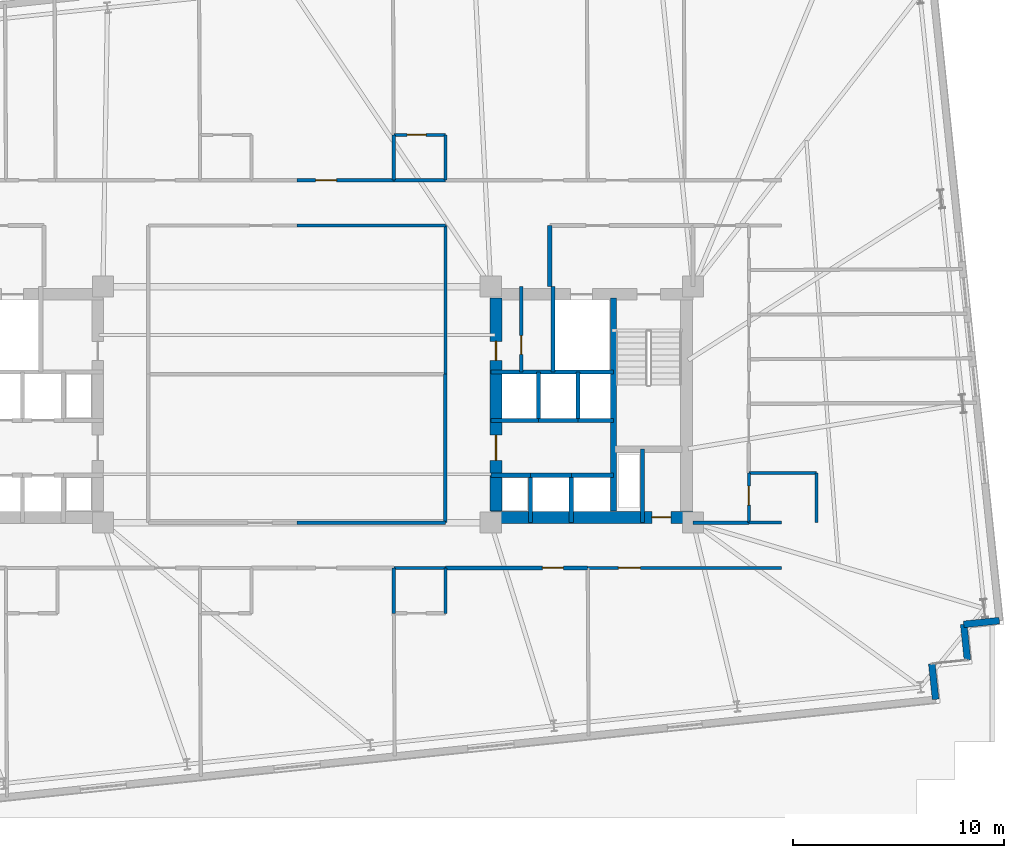
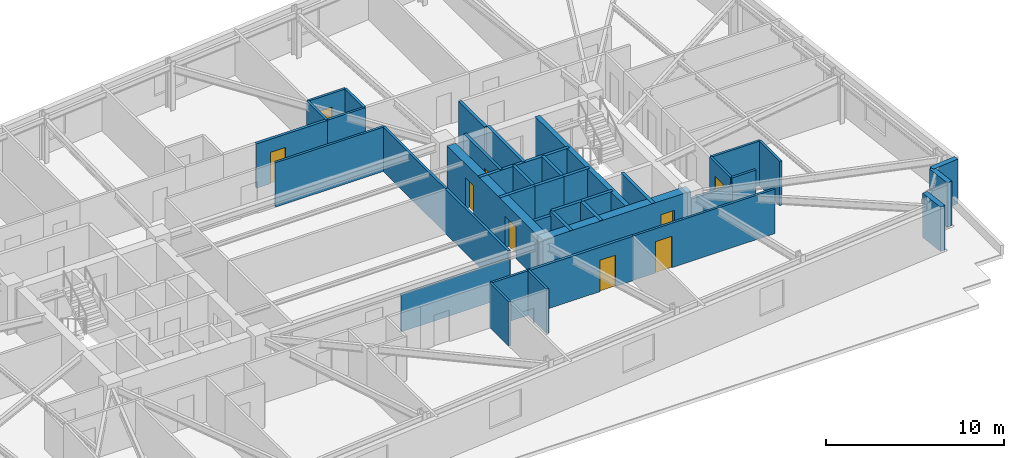
# One storey, part 14 of 20: 40 walls, 9 doors, 9 openings.
"""IFC4 building model written with IfcOpenShell, lengths in metres."""

from ifc_helpers import new_model, si_unit, direction, frame, frame_2d, origin, place, context, subcontext, project, spatial, rectangle, extrude, material, layer, layer_set, type_object, element, fill, save


model = new_model("IFC4")

# Units and contexts
model_context = context("Model", 3, precision=1e-05, world=origin(), true_north=direction((0.0, 1.0)))
body_context = subcontext(model_context, "Body", "Model", "MODEL_VIEW")
ifc_project = project(units=[si_unit("LENGTHUNIT", "METRE"), si_unit("AREAUNIT", "SQUARE_METRE"), si_unit("VOLUMEUNIT", "CUBIC_METRE"), si_unit("PLANEANGLEUNIT", "RADIAN"), si_unit("MASSUNIT", "GRAM", prefix="KILO")], contexts=[model_context])

# Site, building, storey
site_placement = place(None, origin())
site = spatial("IfcSite", under=ifc_project, at=site_placement, CompositionType="ELEMENT")
building_placement = place(site_placement, origin())
building = spatial("IfcBuilding", under=site, at=building_placement, Name="Qobustan Lattice House", CompositionType="ELEMENT")
storey_placement = place(building_placement, frame((0.0, 0.0, 79.0)))
storey = spatial("IfcBuildingStorey", under=building, at=storey_placement, Name="L21", CompositionType="ELEMENT", Elevation=79.0)

# Wall, opening, door
ifc_material_1 = material(Name="Concrete C60/75", Category="concrete")
ifc_layer_1 = layer(ifc_material_1, 0.56005859375)
ifc_layer_set_1 = layer_set([ifc_layer_1], Name="Concrete C60/75")
wall_type_1 = type_object("IfcWallType", Name="WAL-CORE-600", PredefinedType="SHEAR", material=ifc_layer_set_1)
wall_1_placement = place(storey_placement, frame((9.199951171875, -5.35009765625, 0.0), z_axis=(0.0, 0.0, 1.0), x_axis=(1.0, 0.0, 0.0)))
wall_1 = element("IfcWall", 1, at=wall_1_placement, inside=storey, type_object=wall_type_1, Name="L21 split-core shear wall CE-S", PredefinedType="SHEAR", context=body_context, shape_type="SweptSolid", body=[
    extrude(rectangle(XDim=9.60009765625, YDim=0.56005859375, at=frame_2d((4.800048828125, 0.0))), origin(), (0.0, 0.0, 1.0), 3.044921875),
])
opening_1_placement = place(wall_1_placement, frame((7.64990234375, 0.0, 0.0)))
opening_1 = element("IfcOpeningElement", 2, at=opening_1_placement, cuts=wall_1, Name="Opening RD-01", PredefinedType="OPENING", context=body_context, shape_type="SweptSolid", body=[
    extrude(rectangle(XDim=0.89990234375, YDim=2.10009765625, at=frame_2d((0.449951171875, 1.050048828125))), frame((0.0, 0.2900390625, 0.0), z_axis=(0.0, -1.0, 0.0), x_axis=(1.0, 0.0, 0.0)), (0.0, 0.0, 1.0), 0.580078125),
])
ifc_material_2 = material(Name="Persian walnut timber and steel frame door", Category="steel")
door_type_1 = type_object("IfcDoorType", Name="DOR-RISER-FD-900x2100", OperationType="NOTDEFINED", PredefinedType="DOOR", material=ifc_material_2)
door_1_placement = place(opening_1_placement, origin())
door_1 = element("IfcDoor", 3, at=door_1_placement, inside=storey, type_object=door_type_1, Name="L21 core service riser access door E", OperationType="SINGLE_SWING_RIGHT", OverallHeight=2.10009765625, OverallWidth=0.89990234375, PredefinedType="DOOR", context=body_context, shape_type="SweptSolid", body=[
    extrude(rectangle(XDim=0.89990234375, YDim=2.10009765625, at=frame_2d((0.449951171875, 1.050048828125))), frame((0.0, 0.02490234375, 0.0), z_axis=(0.0, -1.0, 0.0), x_axis=(1.0, 0.0, 0.0)), (0.0, 0.0, 1.0), 0.050048828125),
])
fill(opening_1, door_1)

# Wall, openings, doors
wall_2_placement = place(storey_placement, frame((9.449951171875, -5.050048828125, 0.0), z_axis=(0.0, 0.0, 1.0), x_axis=(0.0, 1.0, 0.0)))
wall_2 = element("IfcWall", 4, at=wall_2_placement, inside=storey, type_object=wall_type_1, Name="L21 split-core shear wall CE-W", PredefinedType="SHEAR", context=body_context, shape_type="SweptSolid", body=[
    extrude(rectangle(XDim=10.10009765625, YDim=0.56005859375, at=frame_2d((5.050048828125, 0.0))), origin(), (0.0, 0.0, 1.0), 3.044921875),
])
opening_2_placement = place(wall_2_placement, frame((7.14990234375, 0.0, 0.0)))
opening_2 = element("IfcOpeningElement", 5, at=opening_2_placement, cuts=wall_2, Name="Opening RD-01", PredefinedType="OPENING", context=body_context, shape_type="SweptSolid", body=[
    extrude(rectangle(XDim=0.89990234375, YDim=2.10009765625, at=frame_2d((0.449951171875, 1.050048828125))), frame((0.0, 0.2900390625, 0.0), z_axis=(0.0, -1.0, 0.0), x_axis=(1.0, 0.0, 0.0)), (0.0, 0.0, 1.0), 0.580078125),
])
opening_3_placement = place(wall_2_placement, frame((2.39990234375, 0.0, 0.0)))
opening_3 = element("IfcOpeningElement", 6, at=opening_3_placement, cuts=wall_2, Name="Opening FD-01", PredefinedType="OPENING", context=body_context, shape_type="SweptSolid", body=[
    extrude(rectangle(XDim=1.199951171875, YDim=2.14990234375, at=frame_2d((0.60009765625, 1.074951171875))), frame((0.0, 0.2900390625, 0.0), z_axis=(0.0, -1.0, 0.0), x_axis=(1.0, 0.0, 0.0)), (0.0, 0.0, 1.0), 0.580078125),
])
ifc_material_3 = material(Name="Persian walnut timber and steel frame door", Category="steel")
door_type_2 = type_object("IfcDoorType", Name="DOR-LOBBY-FD-1200x2150", OperationType="NOTDEFINED", PredefinedType="DOOR", material=ifc_material_3)
door_2_placement = place(opening_3_placement, origin())
door_2 = element("IfcDoor", 7, at=door_2_placement, inside=storey, type_object=door_type_2, Name="L21 East passenger lift lobby fire door", OperationType="SINGLE_SWING_LEFT", OverallHeight=2.14990234375, OverallWidth=1.199951171875, PredefinedType="DOOR", context=body_context, shape_type="SweptSolid", body=[
    extrude(rectangle(XDim=1.199951171875, YDim=2.14990234375, at=frame_2d((0.60009765625, 1.074951171875))), frame((0.0, 0.02490234375, 0.0), z_axis=(0.0, -1.0, 0.0), x_axis=(1.0, 0.0, 0.0)), (0.0, 0.0, 1.0), 0.050048828125),
])
fill(opening_3, door_2)
door_3_placement = place(opening_2_placement, origin())
door_3 = element("IfcDoor", 8, at=door_3_placement, inside=storey, type_object=door_type_1, Name="L21 Print and mail closet fire door", OperationType="SINGLE_SWING_RIGHT", OverallHeight=2.10009765625, OverallWidth=0.89990234375, PredefinedType="DOOR", context=body_context, shape_type="SweptSolid", body=[
    extrude(rectangle(XDim=0.89990234375, YDim=2.10009765625, at=frame_2d((0.449951171875, 1.050048828125))), frame((0.0, 0.02490234375, 0.0), z_axis=(0.0, -1.0, 0.0), x_axis=(1.0, 0.0, 0.0)), (0.0, 0.0, 1.0), 0.050048828125),
])
fill(opening_2, door_3)

# Walls
ifc_material_4 = material(Name="Concrete C50/60", Category="concrete")
ifc_layer_2 = layer(ifc_material_4, 0.280029296875)
ifc_layer_set_2 = layer_set([ifc_layer_2], Name="Concrete C50/60")
wall_type_2 = type_object("IfcWallType", Name="WAL-CORE-SPINE-280", PredefinedType="SHEAR", material=ifc_layer_set_2)
wall_3_placement = place(storey_placement, frame((15.02001953125, -5.050048828125, 0.0), z_axis=(0.0, 0.0, 1.0), x_axis=(0.0, 1.0, 0.0)))
element("IfcWall", 9, at=wall_3_placement, inside=storey, type_object=wall_type_2, Name="L21 split-core shear wall CE-M", PredefinedType="SHEAR", context=body_context, shape_type="SweptSolid", body=[
    extrude(rectangle(XDim=10.10009765625, YDim=0.300048828125, at=frame_2d((5.050048828125, 0.0))), origin(), (0.0, 0.0, 1.0), 3.044921875),
])
ifc_material_5 = material(Name="Precast concrete C40/50", Category="concrete")
ifc_layer_3 = layer(ifc_material_5, 0.320068359375)
ifc_layer_set_3 = layer_set([ifc_layer_3], Name="Precast concrete C40/50")
wall_type_3 = type_object("IfcWallType", Name="WAL-EXT-STONE-320", PredefinedType="SOLIDWALL", material=ifc_layer_set_3)
for number, where, z_axis, x_axis, name in (
    (10, (33.333251953125, -10.2490234375, 0.0), (0.0, 0.0, 1.0), (-0.994519608382, -0.104550220202, 0.0), "L21 exterior limestone-clad wall 16"),
    (11, (31.642578125, -10.4267578125, 0.0), (0.0, 0.0, 1.0), (0.104550220202, -0.994519608382, 0.0), "L21 exterior limestone-clad wall 17"),
):
    element("IfcWall", number, at=place(storey_placement, frame(where, z_axis=z_axis, x_axis=x_axis)), inside=storey, type_object=wall_type_3, Name=name, PredefinedType="SOLIDWALL", context=body_context, shape_type="SweptSolid", body=[
        extrude(rectangle(XDim=1.699951171875, YDim=0.320068359375, at=frame_2d((0.85009765625, 0.0))), origin(), (0.0, 0.0, 1.0), 3.044921875),
    ])
wall_4_placement = place(storey_placement, frame((30.129638671875, -12.295166015625, 0.0), z_axis=(0.0, 0.0, 1.0), x_axis=(0.104565154801, -0.994518038248, 0.0)))
element("IfcWall", 12, at=wall_4_placement, inside=storey, type_object=wall_type_3, Name="L21 exterior limestone-clad wall 19", PredefinedType="SOLIDWALL", context=body_context, shape_type="SweptSolid", body=[
    extrude(rectangle(XDim=1.69970703125, YDim=0.320068359375, at=frame_2d((0.849853515625, 0.0))), origin(), (0.0, 0.0, 1.0), 3.044921875),
])

# Wall, opening, door
ifc_material_6 = material(Name="Gypsum fireboard acoustic partition", Category="gypsum")
ifc_layer_4 = layer(ifc_material_6, 0.179931640625)
ifc_layer_set_4 = layer_set([ifc_layer_4], Name="Gypsum fireboard acoustic partition")
wall_type_4 = type_object("IfcWallType", Name="WAL-FIRE-180", PredefinedType="PARTITIONING", material=ifc_layer_set_4)
wall_5_placement = place(storey_placement, frame((10.64990234375, 1.550048828125, 0.0), z_axis=(0.0, 0.0, 1.0), x_axis=(0.0, 1.0, 0.0)))
wall_5 = element("IfcWall", 13, at=wall_5_placement, inside=storey, type_object=wall_type_4, Name="L21 interior partition 23", PredefinedType="PARTITIONING", context=body_context, shape_type="SweptSolid", body=[
    extrude(rectangle(XDim=4.050048828125, YDim=0.179931640625, at=frame_2d((2.02490234375, 0.0))), origin(), (0.0, 0.0, 1.0), 3.044921875),
])
opening_4_placement = place(wall_5_placement, frame((0.828857421875, 0.0, 0.0)))
opening_4 = element("IfcOpeningElement", 14, at=opening_4_placement, cuts=wall_5, Name="Opening RD-01", PredefinedType="OPENING", context=body_context, shape_type="SweptSolid", body=[
    extrude(rectangle(XDim=0.89990234375, YDim=2.10009765625, at=frame_2d((0.449951171875, 1.050048828125))), frame((0.0, 0.099853515625, 0.0), z_axis=(0.0, -1.0, 0.0), x_axis=(1.0, 0.0, 0.0)), (0.0, 0.0, 1.0), 0.199951171875),
])
door_4_placement = place(opening_4_placement, origin())
door_4 = element("IfcDoor", 15, at=door_4_placement, inside=storey, type_object=door_type_1, Name="L21 Print and mail closet to Core utility store door", OperationType="SINGLE_SWING_LEFT", OverallHeight=2.10009765625, OverallWidth=0.89990234375, PredefinedType="DOOR", context=body_context, shape_type="SweptSolid", body=[
    extrude(rectangle(XDim=0.89990234375, YDim=2.10009765625, at=frame_2d((0.449951171875, 1.050048828125))), frame((0.0, 0.02490234375, 0.0), z_axis=(0.0, -1.0, 0.0), x_axis=(1.0, 0.0, 0.0)), (0.0, 0.0, 1.0), 0.050048828125),
])
fill(opening_4, door_4)

wall_6_placement = place(storey_placement, frame((0.0, 10.64990234375, 0.0), z_axis=(0.0, 0.0, 1.0), x_axis=(1.0, 0.0, 0.0)))
wall_6 = element("IfcWall", 16, at=wall_6_placement, inside=storey, type_object=wall_type_4, Name="L21 interior partition 46", PredefinedType="PARTITIONING", context=body_context, shape_type="SweptSolid", body=[
    extrude(rectangle(XDim=4.60009765625, YDim=0.179931640625, at=frame_2d((2.300048828125, 0.0))), origin(), (0.0, 0.0, 1.0), 3.044921875),
])
opening_5_placement = place(wall_6_placement, frame((0.885009765625, 0.0, 0.0)))
opening_5 = element("IfcOpeningElement", 17, at=opening_5_placement, cuts=wall_6, Name="Opening FD-02", PredefinedType="OPENING", context=body_context, shape_type="SweptSolid", body=[
    extrude(rectangle(XDim=1.0, YDim=2.14990234375, at=frame_2d((0.5, 1.074951171875))), frame((0.0, 0.099853515625, 0.0), z_axis=(0.0, -1.0, 0.0), x_axis=(1.0, 0.0, 0.0)), (0.0, 0.0, 1.0), 0.199951171875),
])
ifc_material_7 = material(Name="Persian walnut timber and steel frame door", Category="steel")
door_type_3 = type_object("IfcDoorType", Name="DOR-UNIT-FD-1000x2150", OperationType="NOTDEFINED", PredefinedType="DOOR", material=ifc_material_7)
door_5_placement = place(opening_5_placement, origin())
door_5 = element("IfcDoor", 18, at=door_5_placement, inside=storey, type_object=door_type_3, Name="L21 North-east floor corridor to Kitchenette and studio apartment L21-N3 door", OperationType="SINGLE_SWING_RIGHT", OverallHeight=2.14990234375, OverallWidth=1.0, PredefinedType="DOOR", context=body_context, shape_type="SweptSolid", body=[
    extrude(rectangle(XDim=1.0, YDim=2.14990234375, at=frame_2d((0.5, 1.074951171875))), frame((0.0, 0.02490234375, 0.0), z_axis=(0.0, -1.0, 0.0), x_axis=(1.0, 0.0, 0.0)), (0.0, 0.0, 1.0), 0.050048828125),
])
fill(opening_5, door_5)

# Wall
wall_7_placement = place(storey_placement, frame((18.800048828125, -5.60009765625, 0.0), z_axis=(0.0, 0.0, 1.0), x_axis=(1.0, 0.0, 0.0)))
element("IfcWall", 19, at=wall_7_placement, inside=storey, type_object=wall_type_4, Name="L21 interior partition 61", PredefinedType="PARTITIONING", context=body_context, shape_type="SweptSolid", body=[
    extrude(rectangle(XDim=2.64990234375, YDim=0.179931640625, at=frame_2d((1.324951171875, 0.0))), origin(), (0.0, 0.0, 1.0), 2.530029296875),
])

# Wall, opening, door
wall_8_placement = place(storey_placement, frame((13.800048828125, -7.75, 0.0), z_axis=(0.0, 0.0, 1.0), x_axis=(-1.0, 0.0, 0.0)))
wall_8 = element("IfcWall", 20, at=wall_8_placement, inside=storey, type_object=wall_type_4, Name="L21 interior partition 64", PredefinedType="PARTITIONING", context=body_context, shape_type="SweptSolid", body=[
    extrude(rectangle(XDim=6.75, YDim=0.179931640625, at=frame_2d((3.375, 0.0))), origin(), (0.0, 0.0, 1.0), 3.044921875),
])
opening_6_placement = place(wall_8_placement, frame((1.15380859375, 0.0, 0.0)))
opening_6 = element("IfcOpeningElement", 21, at=opening_6_placement, cuts=wall_8, Name="Opening FD-02", PredefinedType="OPENING", context=body_context, shape_type="SweptSolid", body=[
    extrude(rectangle(XDim=1.0, YDim=2.14990234375, at=frame_2d((0.5, 1.074951171875))), frame((0.0, 0.099853515625, 0.0), z_axis=(0.0, -1.0, 0.0), x_axis=(1.0, 0.0, 0.0)), (0.0, 0.0, 1.0), 0.199951171875),
])
door_6_placement = place(opening_6_placement, origin())
door_6 = element("IfcDoor", 22, at=door_6_placement, inside=storey, type_object=door_type_3, Name="L21 South-east floor corridor to Kitchenette and studio apartment L21-S4 door", OperationType="SINGLE_SWING_RIGHT", OverallHeight=2.14990234375, OverallWidth=1.0, PredefinedType="DOOR", context=body_context, shape_type="SweptSolid", body=[
    extrude(rectangle(XDim=1.0, YDim=2.14990234375, at=frame_2d((0.5, 1.074951171875))), frame((0.0, 0.02490234375, 0.0), z_axis=(0.0, -1.0, 0.0), x_axis=(1.0, 0.0, 0.0)), (0.0, 0.0, 1.0), 0.050048828125),
])
fill(opening_6, door_6)

# Wall
ifc_material_8 = material(Name="Acoustic twin-stud gypsum partition", Category="gypsum")
ifc_layer_5 = layer(ifc_material_8, 0.14990234375)
ifc_layer_set_5 = layer_set([ifc_layer_5], Name="Acoustic twin-stud gypsum partition")
wall_type_5 = type_object("IfcWallType", Name="WAL-PART-150", PredefinedType="PARTITIONING", material=ifc_layer_set_5)
wall_9_placement = place(storey_placement, frame((7.050048828125, 8.5, 0.0), z_axis=(0.0, 0.0, 1.0), x_axis=(-1.0, 0.0, 0.0)))
element("IfcWall", 23, at=wall_9_placement, inside=storey, type_object=wall_type_5, Name="L21 interior partition 51", PredefinedType="PARTITIONING", context=body_context, shape_type="SweptSolid", body=[
    extrude(rectangle(XDim=7.050048828125, YDim=0.14990234375, at=frame_2d((3.52490234375, 0.0))), origin(), (0.0, 0.0, 1.0), 3.044921875),
])

# Wall, opening, door
wall_10_placement = place(storey_placement, frame((23.0, -7.75, 0.0), z_axis=(0.0, 0.0, 1.0), x_axis=(-1.0, 0.0, 0.0)))
wall_10 = element("IfcWall", 24, at=wall_10_placement, inside=storey, type_object=wall_type_5, Name="L21 interior partition 66", PredefinedType="PARTITIONING", context=body_context, shape_type="SweptSolid", body=[
    extrude(rectangle(XDim=9.199951171875, YDim=0.14990234375, at=frame_2d((4.60009765625, 0.0))), origin(), (0.0, 0.0, 1.0), 3.044921875),
])
opening_7_placement = place(wall_10_placement, frame((6.6962890625, 0.0, 0.0)))
opening_7 = element("IfcOpeningElement", 25, at=opening_7_placement, cuts=wall_10, Name="Opening ID-02", PredefinedType="OPENING", context=body_context, shape_type="SweptSolid", body=[
    extrude(rectangle(XDim=1.050048828125, YDim=2.14990234375, at=frame_2d((0.52490234375, 1.074951171875))), frame((0.0, 0.0849609375, 0.0), z_axis=(0.0, -1.0, 0.0), x_axis=(1.0, 0.0, 0.0)), (0.0, 0.0, 1.0), 0.169921875),
])
ifc_material_9 = material(Name="Persian walnut timber and steel frame door", Category="steel")
door_type_4 = type_object("IfcDoorType", Name="DOR-STUDY-1050x2150", OperationType="NOTDEFINED", PredefinedType="DOOR", material=ifc_material_9)
door_7_placement = place(opening_7_placement, origin())
door_7 = element("IfcDoor", 26, at=door_7_placement, inside=storey, type_object=door_type_4, Name="L21 South-east floor corridor to Group study room door", OperationType="SINGLE_SWING_LEFT", OverallHeight=2.14990234375, OverallWidth=1.050048828125, PredefinedType="DOOR", context=body_context, shape_type="SweptSolid", body=[
    extrude(rectangle(XDim=1.050048828125, YDim=2.14990234375, at=frame_2d((0.52490234375, 1.074951171875))), frame((0.0, 0.02490234375, 0.0), z_axis=(0.0, -1.0, 0.0), x_axis=(1.0, 0.0, 0.0)), (0.0, 0.0, 1.0), 0.050048828125),
])
fill(opening_7, door_7)

# Walls
wall_11_placement = place(storey_placement, frame((7.050048828125, 1.449951171875, 0.0), z_axis=(0.0, 0.0, 1.0), x_axis=(0.0, 1.0, 0.0)))
element("IfcWall", 27, at=wall_11_placement, inside=storey, type_object=wall_type_5, Name="L21 interior partition 71", PredefinedType="PARTITIONING", context=body_context, shape_type="SweptSolid", body=[
    extrude(rectangle(XDim=7.050048828125, YDim=0.14990234375, at=frame_2d((3.52490234375, 0.0))), origin(), (0.0, 0.0, 1.0), 3.044921875),
])
ifc_material_10 = material(Name="High-mass acoustic twin-stud partition", Category="gypsum")
ifc_layer_6 = layer(ifc_material_10, 0.1650390625)
ifc_layer_set_6 = layer_set([ifc_layer_6], Name="High-mass acoustic twin-stud partition")
wall_type_6 = type_object("IfcWallType", Name="WAL-PART-165", PredefinedType="PARTITIONING", material=ifc_layer_set_6)
wall_12_placement = place(storey_placement, frame((0.0, -5.60009765625, 0.0), z_axis=(0.0, 0.0, 1.0), x_axis=(1.0, 0.0, 0.0)))
element("IfcWall", 28, at=wall_12_placement, inside=storey, type_object=wall_type_6, Name="L21 interior partition 67", PredefinedType="PARTITIONING", context=body_context, shape_type="SweptSolid", body=[
    extrude(rectangle(XDim=7.050048828125, YDim=0.1650390625, at=frame_2d((3.52490234375, 0.0))), origin(), (0.0, 0.0, 1.0), 2.530029296875),
])
wall_13_placement = place(storey_placement, frame((7.050048828125, -5.60009765625, 0.0), z_axis=(0.0, 0.0, 1.0), x_axis=(0.0, 1.0, 0.0)))
element("IfcWall", 29, at=wall_13_placement, inside=storey, type_object=wall_type_6, Name="L21 interior partition 70", PredefinedType="PARTITIONING", context=body_context, shape_type="SweptSolid", body=[
    extrude(rectangle(XDim=7.050048828125, YDim=0.1650390625, at=frame_2d((3.52490234375, 0.0))), origin(), (0.0, 0.0, 1.0), 3.044921875),
])
ifc_material_11 = material(Name="Two-hour gypsum fireboard acoustic partition", Category="gypsum")
ifc_layer_7 = layer(ifc_material_11, 0.199951171875)
ifc_layer_set_7 = layer_set([ifc_layer_7], Name="Two-hour gypsum fireboard acoustic partition")
wall_type_7 = type_object("IfcWallType", Name="WAL-PROT-200", PredefinedType="PARTITIONING", material=ifc_layer_set_7)
wall_14_placement = place(storey_placement, frame((12.0, 8.5, 0.0), z_axis=(0.0, 0.0, 1.0), x_axis=(0.0, -1.0, 0.0)))
element("IfcWall", 30, at=wall_14_placement, inside=storey, type_object=wall_type_7, Name="L21 interior partition 21", PredefinedType="PARTITIONING", context=body_context, shape_type="SweptSolid", body=[
    extrude(rectangle(XDim=2.89990234375, YDim=0.199951171875, at=frame_2d((1.449951171875, 0.0))), origin(), (0.0, 0.0, 1.0), 3.044921875),
])
ifc_material_12 = material(Name="Concrete C40/50", Category="concrete")
ifc_layer_8 = layer(ifc_material_12, 0.199951171875)
ifc_layer_set_8 = layer_set([ifc_layer_8], Name="Concrete C40/50")
wall_type_8 = type_object("IfcWallType", Name="WAL-SHAFT-200", PredefinedType="PARTITIONING", material=ifc_layer_set_8)
wall_15_placement = place(storey_placement, frame((16.39990234375, -2.110107421875, 0.0), z_axis=(0.0, 0.0, 1.0), x_axis=(0.0, -1.0, 0.0)))
element("IfcWall", 31, at=wall_15_placement, inside=storey, type_object=wall_type_8, Name="L21 interior partition 18", PredefinedType="PARTITIONING", context=body_context, shape_type="SweptSolid", body=[
    extrude(rectangle(XDim=3.489990234375, YDim=0.199951171875, at=frame_2d((1.7451171875, 0.0))), origin(), (0.0, 0.0, 1.0), 3.044921875),
])
wall_16_placement = place(storey_placement, frame((12.14990234375, 5.60009765625, 0.0), z_axis=(0.0, 0.0, 1.0), x_axis=(0.0, -1.0, 0.0)))
element("IfcWall", 32, at=wall_16_placement, inside=storey, type_object=wall_type_8, Name="L21 interior partition 19", PredefinedType="PARTITIONING", context=body_context, shape_type="SweptSolid", body=[
    extrude(rectangle(XDim=4.050048828125, YDim=0.199951171875, at=frame_2d((2.02490234375, 0.0))), origin(), (0.0, 0.0, 1.0), 3.044921875),
])
wall_17_placement = place(storey_placement, frame((9.199951171875, -3.35009765625, 0.0), z_axis=(0.0, 0.0, 1.0), x_axis=(1.0, 0.0, 0.0)))
element("IfcWall", 33, at=wall_17_placement, inside=storey, type_object=wall_type_8, Name="L21 interior partition 25", PredefinedType="PARTITIONING", context=body_context, shape_type="SweptSolid", body=[
    extrude(rectangle(XDim=1.880126953125, YDim=0.199951171875, at=frame_2d((0.93994140625, 0.0))), origin(), (0.0, 0.0, 1.0), 2.760009765625),
])
wall_18_placement = place(storey_placement, frame((11.080078125, -3.35009765625, 0.0), z_axis=(0.0, 0.0, 1.0), x_axis=(1.0, 0.0, 0.0)))
element("IfcWall", 34, at=wall_18_placement, inside=storey, type_object=wall_type_8, Name="L21 interior partition 26", PredefinedType="PARTITIONING", context=body_context, shape_type="SweptSolid", body=[
    extrude(rectangle(XDim=1.93994140625, YDim=0.199951171875, at=frame_2d((0.969970703125, 0.0))), origin(), (0.0, 0.0, 1.0), 3.044921875),
])
wall_19_placement = place(storey_placement, frame((13.02001953125, -3.35009765625, 0.0), z_axis=(0.0, 0.0, 1.0), x_axis=(1.0, 0.0, 0.0)))
element("IfcWall", 35, at=wall_19_placement, inside=storey, type_object=wall_type_8, Name="L21 interior partition 27", PredefinedType="PARTITIONING", context=body_context, shape_type="SweptSolid", body=[
    extrude(rectangle(XDim=2.0, YDim=0.199951171875, at=frame_2d((1.0, 0.0))), origin(), (0.0, 0.0, 1.0), 3.044921875),
])
wall_20_placement = place(storey_placement, frame((11.4599609375, -0.75, 0.0), z_axis=(0.0, 0.0, 1.0), x_axis=(-1.0, 0.0, 0.0)))
element("IfcWall", 36, at=wall_20_placement, inside=storey, type_object=wall_type_8, Name="L21 interior partition 28", PredefinedType="PARTITIONING", context=body_context, shape_type="SweptSolid", body=[
    extrude(rectangle(XDim=2.260009765625, YDim=0.199951171875, at=frame_2d((1.1298828125, 0.0))), origin(), (0.0, 0.0, 1.0), 3.044921875),
])
wall_21_placement = place(storey_placement, frame((13.340087890625, -0.75, 0.0), z_axis=(0.0, 0.0, 1.0), x_axis=(-1.0, 0.0, 0.0)))
element("IfcWall", 37, at=wall_21_placement, inside=storey, type_object=wall_type_8, Name="L21 interior partition 29", PredefinedType="PARTITIONING", context=body_context, shape_type="SweptSolid", body=[
    extrude(rectangle(XDim=1.880126953125, YDim=0.199951171875, at=frame_2d((0.93994140625, 0.0))), origin(), (0.0, 0.0, 1.0), 3.044921875),
])
wall_22_placement = place(storey_placement, frame((15.02001953125, -0.75, 0.0), z_axis=(0.0, 0.0, 1.0), x_axis=(-1.0, 0.0, 0.0)))
element("IfcWall", 38, at=wall_22_placement, inside=storey, type_object=wall_type_8, Name="L21 interior partition 30", PredefinedType="PARTITIONING", context=body_context, shape_type="SweptSolid", body=[
    extrude(rectangle(XDim=1.679931640625, YDim=0.199951171875, at=frame_2d((0.83984375, 0.0))), origin(), (0.0, 0.0, 1.0), 3.044921875),
])
for number, where, z_axis, x_axis, name in (
    (39, (11.080078125, -5.60009765625, 0.0), (0.0, 0.0, 1.0), (0.0, 1.0, 0.0), "L21 interior partition 32"),
    (40, (13.02001953125, -5.60009765625, 0.0), (0.0, 0.0, 1.0), (0.0, 1.0, 0.0), "L21 interior partition 33"),
):
    element("IfcWall", number, at=place(storey_placement, frame(where, z_axis=z_axis, x_axis=x_axis)), inside=storey, type_object=wall_type_8, Name=name, PredefinedType="PARTITIONING", context=body_context, shape_type="SweptSolid", body=[
        extrude(rectangle(XDim=2.25, YDim=0.199951171875, at=frame_2d((1.125, 0.0))), origin(), (0.0, 0.0, 1.0), 3.044921875),
    ])
for number, where, z_axis, x_axis, name in (
    (41, (11.4599609375, -0.75, 0.0), (0.0, 0.0, 1.0), (0.0, 1.0, 0.0), "L21 interior partition 34"),
    (42, (13.340087890625, -0.75, 0.0), (0.0, 0.0, 1.0), (0.0, 1.0, 0.0), "L21 interior partition 35"),
):
    element("IfcWall", number, at=place(storey_placement, frame(where, z_axis=z_axis, x_axis=x_axis)), inside=storey, type_object=wall_type_8, Name=name, PredefinedType="PARTITIONING", context=body_context, shape_type="SweptSolid", body=[
        extrude(rectangle(XDim=2.300048828125, YDim=0.199951171875, at=frame_2d((1.14990234375, 0.0))), origin(), (0.0, 0.0, 1.0), 3.044921875),
    ])
wall_23_placement = place(storey_placement, frame((9.199951171875, 1.550048828125, 0.0), z_axis=(0.0, 0.0, 1.0), x_axis=(1.0, 0.0, 0.0)))
element("IfcWall", 43, at=wall_23_placement, inside=storey, type_object=wall_type_8, Name="L21 interior partition 115", PredefinedType="PARTITIONING", context=body_context, shape_type="SweptSolid", body=[
    extrude(rectangle(XDim=5.820068359375, YDim=0.199951171875, at=frame_2d((2.91015625, 0.0))), origin(), (0.0, 0.0, 1.0), 3.044921875),
])
ifc_material_13 = material(Name="Moisture-resistant acoustic plumbing wall", Category="gypsum")
ifc_layer_9 = layer(ifc_material_13, 0.14990234375)
ifc_layer_set_9 = layer_set([ifc_layer_9], Name="Moisture-resistant acoustic plumbing wall")
wall_type_9 = type_object("IfcWallType", Name="WAL-WET-150", PredefinedType="PLUMBINGWALL", material=ifc_layer_set_9)
wall_24_placement = place(storey_placement, frame((4.60009765625, 10.64990234375, 0.0), z_axis=(0.0, 0.0, 1.0), x_axis=(1.0, 0.0, 0.0)))
element("IfcWall", 44, at=wall_24_placement, inside=storey, type_object=wall_type_9, Name="L21 interior partition 48", PredefinedType="PLUMBINGWALL", context=body_context, shape_type="SweptSolid", body=[
    extrude(rectangle(XDim=2.449951171875, YDim=0.14990234375, at=frame_2d((1.22509765625, 0.0))), origin(), (0.0, 0.0, 1.0), 3.044921875),
])
wall_25_placement = place(storey_placement, frame((21.449951171875, -5.60009765625, 0.0), z_axis=(0.0, 0.0, 1.0), x_axis=(1.0, 0.0, 0.0)))
element("IfcWall", 45, at=wall_25_placement, inside=storey, type_object=wall_type_9, Name="L21 interior partition 62", PredefinedType="PLUMBINGWALL", context=body_context, shape_type="SweptSolid", body=[
    extrude(rectangle(XDim=1.550048828125, YDim=0.14990234375, at=frame_2d((0.77490234375, 0.0))), origin(), (0.0, 0.0, 1.0), 3.044921875),
])
wall_26_placement = place(storey_placement, frame((7.050048828125, -7.75, 0.0), z_axis=(0.0, 0.0, 1.0), x_axis=(-1.0, 0.0, 0.0)))
element("IfcWall", 46, at=wall_26_placement, inside=storey, type_object=wall_type_9, Name="L21 interior partition 65", PredefinedType="PLUMBINGWALL", context=body_context, shape_type="SweptSolid", body=[
    extrude(rectangle(XDim=2.449951171875, YDim=0.14990234375, at=frame_2d((1.22509765625, 0.0))), origin(), (0.0, 0.0, 1.0), 3.044921875),
])

# Wall, opening, door
wall_27_placement = place(storey_placement, frame((21.449951171875, -3.25, 0.0), z_axis=(0.0, 0.0, 1.0), x_axis=(0.0, -1.0, 0.0)))
wall_27 = element("IfcWall", 47, at=wall_27_placement, inside=storey, type_object=wall_type_9, Name="L21 interior partition 75", PredefinedType="PLUMBINGWALL", context=body_context, shape_type="SweptSolid", body=[
    extrude(rectangle(XDim=2.35009765625, YDim=0.14990234375, at=frame_2d((1.175048828125, 0.0))), origin(), (0.0, 0.0, 1.0), 3.044921875),
])
opening_8_placement = place(wall_27_placement, frame((0.6162109375, 0.0, 0.0)))
opening_8 = element("IfcOpeningElement", 48, at=opening_8_placement, cuts=wall_27, Name="Opening WD-01", PredefinedType="OPENING", context=body_context, shape_type="SweptSolid", body=[
    extrude(rectangle(XDim=0.89990234375, YDim=2.10009765625, at=frame_2d((0.449951171875, 1.050048828125))), frame((0.0, 0.0849609375, 0.0), z_axis=(0.0, -1.0, 0.0), x_axis=(1.0, 0.0, 0.0)), (0.0, 0.0, 1.0), 0.169921875),
])
ifc_material_14 = material(Name="Persian walnut timber and steel frame door", Category="steel")
door_type_5 = type_object("IfcDoorType", Name="DOR-WET-900x2100", OperationType="NOTDEFINED", PredefinedType="DOOR", material=ifc_material_14)
door_8_placement = place(opening_8_placement, origin())
door_8 = element("IfcDoor", 49, at=door_8_placement, inside=storey, type_object=door_type_5, Name="L21 Residence entrance hall L21E to Shared bathroom L21E door", OperationType="SINGLE_SWING_RIGHT", OverallHeight=2.10009765625, OverallWidth=0.89990234375, PredefinedType="DOOR", context=body_context, shape_type="SweptSolid", body=[
    extrude(rectangle(XDim=0.89990234375, YDim=2.10009765625, at=frame_2d((0.449951171875, 1.050048828125))), frame((0.0, 0.02490234375, 0.0), z_axis=(0.0, -1.0, 0.0), x_axis=(1.0, 0.0, 0.0)), (0.0, 0.0, 1.0), 0.050048828125),
])
fill(opening_8, door_8)

# Walls
wall_28_placement = place(storey_placement, frame((21.449951171875, -3.25, 0.0), z_axis=(0.0, 0.0, 1.0), x_axis=(1.0, 0.0, 0.0)))
element("IfcWall", 50, at=wall_28_placement, inside=storey, type_object=wall_type_9, Name="L21 interior partition 81", PredefinedType="PLUMBINGWALL", context=body_context, shape_type="SweptSolid", body=[
    extrude(rectangle(XDim=3.199951171875, YDim=0.14990234375, at=frame_2d((1.60009765625, 0.0))), origin(), (0.0, 0.0, 1.0), 3.044921875),
])
wall_29_placement = place(storey_placement, frame((24.64990234375, -3.25, 0.0), z_axis=(0.0, 0.0, 1.0), x_axis=(0.0, -1.0, 0.0)))
element("IfcWall", 51, at=wall_29_placement, inside=storey, type_object=wall_type_9, Name="L21 interior partition 82", PredefinedType="PLUMBINGWALL", context=body_context, shape_type="SweptSolid", body=[
    extrude(rectangle(XDim=2.35009765625, YDim=0.14990234375, at=frame_2d((1.175048828125, 0.0))), origin(), (0.0, 0.0, 1.0), 3.044921875),
])
wall_30_placement = place(storey_placement, frame((4.60009765625, 12.800048828125, 0.0), z_axis=(0.0, 0.0, 1.0), x_axis=(0.0, -1.0, 0.0)))
element("IfcWall", 52, at=wall_30_placement, inside=storey, type_object=wall_type_9, Name="L21 interior partition 94", PredefinedType="PLUMBINGWALL", context=body_context, shape_type="SweptSolid", body=[
    extrude(rectangle(XDim=2.150146484375, YDim=0.14990234375, at=frame_2d((1.0751953125, 0.0))), origin(), (0.0, 0.0, 1.0), 3.044921875),
])

# Wall, opening, door
wall_31_placement = place(storey_placement, frame((7.050048828125, 12.800048828125, 0.0), z_axis=(0.0, 0.0, 1.0), x_axis=(-1.0, 0.0, 0.0)))
wall_31 = element("IfcWall", 53, at=wall_31_placement, inside=storey, type_object=wall_type_9, Name="L21 interior partition 95", PredefinedType="PLUMBINGWALL", context=body_context, shape_type="SweptSolid", body=[
    extrude(rectangle(XDim=2.449951171875, YDim=0.14990234375, at=frame_2d((1.22509765625, 0.0))), origin(), (0.0, 0.0, 1.0), 3.044921875),
])
opening_9_placement = place(wall_31_placement, frame((0.92138671875, 0.0, 0.0)))
opening_9 = element("IfcOpeningElement", 54, at=opening_9_placement, cuts=wall_31, Name="Opening WD-01", PredefinedType="OPENING", context=body_context, shape_type="SweptSolid", body=[
    extrude(rectangle(XDim=0.89990234375, YDim=2.10009765625, at=frame_2d((0.449951171875, 1.050048828125))), frame((0.0, 0.0849609375, 0.0), z_axis=(0.0, -1.0, 0.0), x_axis=(1.0, 0.0, 0.0)), (0.0, 0.0, 1.0), 0.169921875),
])
door_9_placement = place(opening_9_placement, origin())
door_9 = element("IfcDoor", 55, at=door_9_placement, inside=storey, type_object=door_type_5, Name="L21 Kitchenette and studio apartment L21-N4 to En-suite bathroom L21-N4 door", OperationType="SINGLE_SWING_LEFT", OverallHeight=2.10009765625, OverallWidth=0.89990234375, PredefinedType="DOOR", context=body_context, shape_type="SweptSolid", body=[
    extrude(rectangle(XDim=0.89990234375, YDim=2.10009765625, at=frame_2d((0.449951171875, 1.050048828125))), frame((0.0, 0.02490234375, 0.0), z_axis=(0.0, -1.0, 0.0), x_axis=(1.0, 0.0, 0.0)), (0.0, 0.0, 1.0), 0.050048828125),
])
fill(opening_9, door_9)

# Walls
wall_32_placement = place(storey_placement, frame((7.050048828125, 10.64990234375, 0.0), z_axis=(0.0, 0.0, 1.0), x_axis=(0.0, 1.0, 0.0)))
element("IfcWall", 56, at=wall_32_placement, inside=storey, type_object=wall_type_9, Name="L21 interior partition 96", PredefinedType="PLUMBINGWALL", context=body_context, shape_type="SweptSolid", body=[
    extrude(rectangle(XDim=2.150146484375, YDim=0.14990234375, at=frame_2d((1.0751953125, 0.0))), origin(), (0.0, 0.0, 1.0), 3.044921875),
])
for number, where, z_axis, x_axis, name in (
    (57, (4.60009765625, -7.75, 0.0), (0.0, 0.0, 1.0), (0.0, -1.0, 0.0), "L21 interior partition 109"),
    (58, (7.050048828125, -9.89990234375, 0.0), (0.0, 0.0, 1.0), (0.0, 1.0, 0.0), "L21 interior partition 111"),
):
    element("IfcWall", number, at=place(storey_placement, frame(where, z_axis=z_axis, x_axis=x_axis)), inside=storey, type_object=wall_type_9, Name=name, PredefinedType="PLUMBINGWALL", context=body_context, shape_type="SweptSolid", body=[
        extrude(rectangle(XDim=2.14990234375, YDim=0.14990234375, at=frame_2d((1.074951171875, 0.0))), origin(), (0.0, 0.0, 1.0), 3.044921875),
    ])

save(model, "model.ifc")
